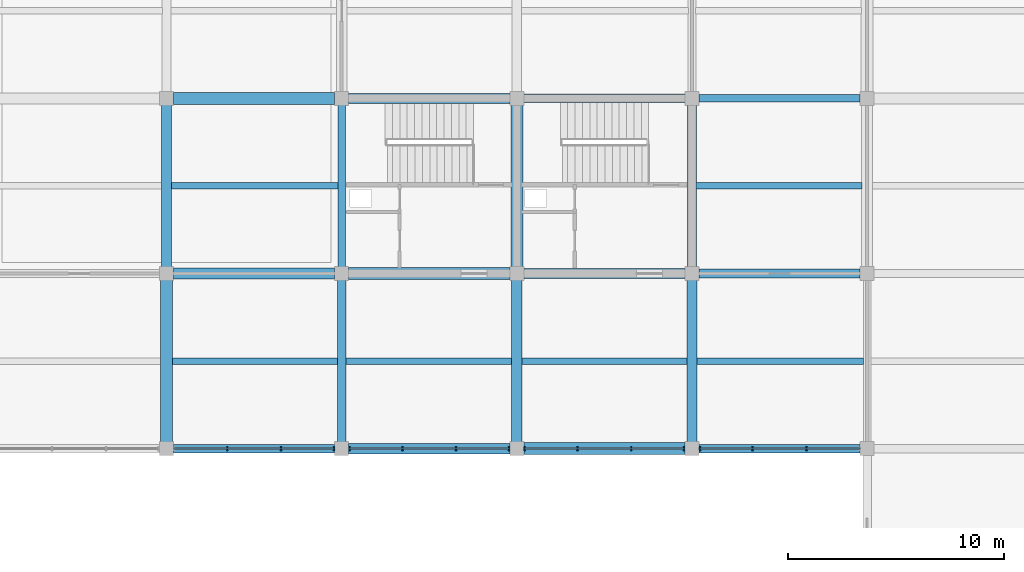
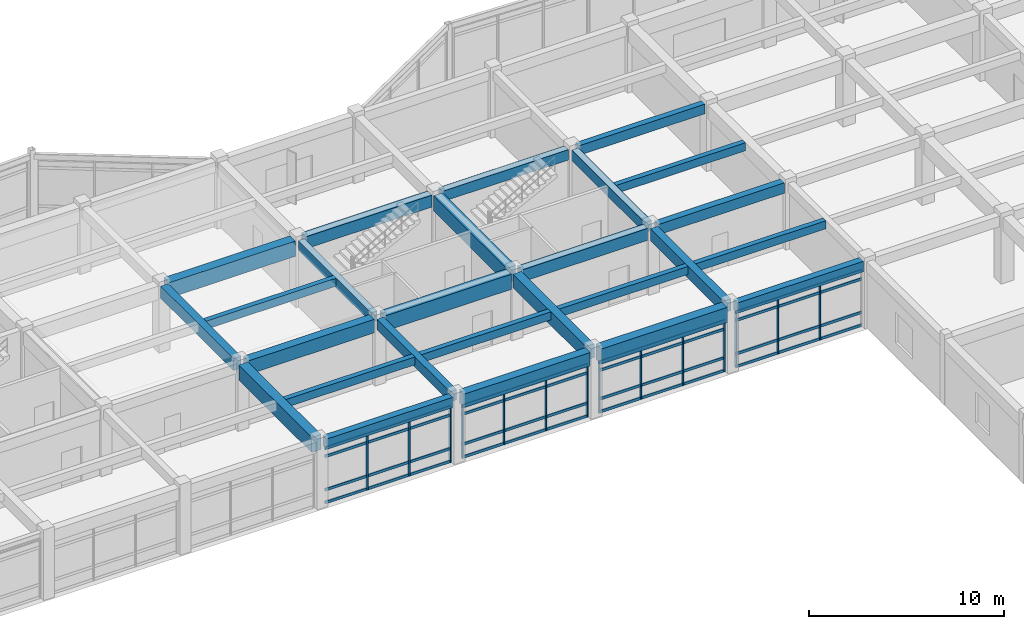
# One storey, part 35 of 89: 30 members, 26 beams, 4 elements without a shape of their own.
"""IFC4 building model written with IfcOpenShell, lengths in metres."""

from ifc_helpers import new_model, si_unit, direction, frame, origin, origin_2d, place, context, subcontext, project, spatial, rectangle, extrude, material, layer, layer_set, material_profile, profile_set, type_object, element, aggregate, save


model = new_model("IFC4")

# Units and contexts
model_context = context("Model", 3, precision=1e-05, world=origin(), true_north=direction((0.0, 1.0)))
body_context = subcontext(model_context, "Body", "Model", "MODEL_VIEW")
ifc_project = project(units=[si_unit("LENGTHUNIT", "METRE"), si_unit("AREAUNIT", "SQUARE_METRE"), si_unit("VOLUMEUNIT", "CUBIC_METRE"), si_unit("PLANEANGLEUNIT", "RADIAN"), si_unit("MASSUNIT", "GRAM", prefix="KILO")], contexts=[model_context])

# Site, building, storey
site_placement = place(None, origin())
site = spatial("IfcSite", under=ifc_project, at=site_placement, CompositionType="ELEMENT")
building_placement = place(site_placement, origin())
building = spatial("IfcBuilding", under=site, at=building_placement, Name="Vaudrelin Polytechnic", CompositionType="ELEMENT")
storey_placement = place(building_placement, frame((0.0, 0.0, 9.68994140625)))
storey = spatial("IfcBuildingStorey", under=building, at=storey_placement, Name="L02", CompositionType="ELEMENT", Elevation=9.68994140625)

# Beams
ifc_material_1 = material(Name="Concrete 40 MPa", Category="concrete")
ifc_material_profile_1 = material_profile(ifc_material_1, rectangle(XDim=0.35009765625, YDim=0.60009765625, at=origin_2d()), Name="RC350x600")
ifc_profile_set_1 = profile_set([ifc_material_profile_1], Name="Concrete 40 MPa")
beam_type_1 = type_object("IfcBeamType", Name="BM-BM-RC3560", PredefinedType="BEAM", material=ifc_profile_set_1)
beam_1_placement = place(storey_placement, frame((105.300048828125, 105.610107421875, 3.840087890625), z_axis=(0.0, 1.0, 0.0), x_axis=(-1.0, 0.0, 0.0)))
element("IfcBeam", 1, at=beam_1_placement, inside=storey, type_object=beam_type_1, Name="L02 Y-beam 14-14", PredefinedType="BEAM", context=body_context, shape_type="SweptSolid", body=[
    extrude(rectangle(XDim=0.35009765625, YDim=0.60009765625, at=origin_2d()), origin(), (0.0, 0.0, 1.0), 7.47998046875),
])
beam_2_placement = place(storey_placement, frame((121.821044921875, 113.39990234375, 3.840087890625), z_axis=(1.0, 0.0, 0.0), x_axis=(0.0, 1.0, 0.0)))
element("IfcBeam", 2, at=beam_2_placement, inside=storey, type_object=beam_type_1, Name="L02 X-beam 16-15", PredefinedType="BEAM", context=body_context, shape_type="SweptSolid", body=[
    extrude(rectangle(XDim=0.35009765625, YDim=0.60009765625, at=origin_2d()), origin(), (0.0, 0.0, 1.0), 7.4580078125),
])
ifc_material_profile_2 = material_profile(ifc_material_1, rectangle(XDim=0.39990234375, YDim=0.64990234375, at=origin_2d()), Name="RC400x650")
ifc_profile_set_2 = profile_set([ifc_material_profile_2], Name="Concrete 40 MPa")
beam_type_2 = type_object("IfcBeamType", Name="BM-BM-RC4065", PredefinedType="BEAM", material=ifc_profile_set_2)
for number, where, z_axis, x_axis, name in (
    (3, (105.300048828125, 97.510009765625, 3.81494140625), (0.0, 1.0, 0.0), (-1.0, 0.0, 0.0), "L02 Y-beam 14-13"),
    (4, (121.5, 105.610107421875, 3.81494140625), (0.0, 1.0, 0.0), (-1.0, 0.0, 0.0), "L02 Y-beam 16-14"),
):
    element("IfcBeam", number, at=place(storey_placement, frame(where, z_axis=z_axis, x_axis=x_axis)), inside=storey, type_object=beam_type_2, Name=name, PredefinedType="BEAM", context=body_context, shape_type="SweptSolid", body=[
        extrude(rectangle(XDim=0.39990234375, YDim=0.64990234375, at=origin_2d()), origin(), (0.0, 0.0, 1.0), 7.47998046875),
    ])
for number, where, z_axis, x_axis, name in (
    (5, (113.720947265625, 113.39990234375, 3.81494140625), (1.0, 0.0, 0.0), (0.0, 1.0, 0.0), "L02 X-beam 15-15"),
    (6, (121.821044921875, 105.300048828125, 3.81494140625), (1.0, 0.0, 0.0), (0.0, 1.0, 0.0), "L02 X-beam 16-14"),
):
    element("IfcBeam", number, at=place(storey_placement, frame(where, z_axis=z_axis, x_axis=x_axis)), inside=storey, type_object=beam_type_2, Name=name, PredefinedType="BEAM", context=body_context, shape_type="SweptSolid", body=[
        extrude(rectangle(XDim=0.39990234375, YDim=0.64990234375, at=origin_2d()), origin(), (0.0, 0.0, 1.0), 7.4580078125),
    ])
ifc_material_profile_3 = material_profile(ifc_material_1, rectangle(XDim=0.449951171875, YDim=0.75, at=origin_2d()), Name="RC450x750")
ifc_profile_set_3 = profile_set([ifc_material_profile_3], Name="Concrete 40 MPa")
beam_type_3 = type_object("IfcBeamType", Name="BM-BM-RC4575", PredefinedType="BEAM", material=ifc_profile_set_3)
for number, where, z_axis, x_axis, name in (
    (7, (97.199951171875, 105.610107421875, 3.76513671875), (0.0, 1.0, 0.0), (-1.0, 0.0, 0.0), "L02 Y-beam 13-14"),
    (8, (121.5, 97.510009765625, 3.76513671875), (0.0, 1.0, 0.0), (-1.0, 0.0, 0.0), "L02 Y-beam 16-13"),
):
    element("IfcBeam", number, at=place(storey_placement, frame(where, z_axis=z_axis, x_axis=x_axis)), inside=storey, type_object=beam_type_3, Name=name, PredefinedType="BEAM", context=body_context, shape_type="SweptSolid", body=[
        extrude(rectangle(XDim=0.449951171875, YDim=0.75, at=origin_2d()), origin(), (0.0, 0.0, 1.0), 7.47998046875),
    ])
for number, where, z_axis, x_axis, name in (
    (9, (105.62109375, 113.39990234375, 3.76513671875), (1.0, 0.0, 0.0), (0.0, 1.0, 0.0), "L02 X-beam 14-15"),
    (10, (113.720947265625, 105.300048828125, 3.76513671875), (1.0, 0.0, 0.0), (0.0, 1.0, 0.0), "L02 X-beam 15-14"),
):
    element("IfcBeam", number, at=place(storey_placement, frame(where, z_axis=z_axis, x_axis=x_axis)), inside=storey, type_object=beam_type_3, Name=name, PredefinedType="BEAM", context=body_context, shape_type="SweptSolid", body=[
        extrude(rectangle(XDim=0.449951171875, YDim=0.75, at=origin_2d()), origin(), (0.0, 0.0, 1.0), 7.4580078125),
    ])
ifc_material_profile_4 = material_profile(ifc_material_1, rectangle(XDim=0.5, YDim=0.85009765625, at=origin_2d()), Name="RC500x850")
ifc_profile_set_4 = profile_set([ifc_material_profile_4], Name="Concrete 40 MPa")
beam_type_4 = type_object("IfcBeamType", Name="BM-BM-RC5085", PredefinedType="BEAM", material=ifc_profile_set_4)
beam_3_placement = place(storey_placement, frame((113.39990234375, 97.510009765625, 3.715087890625), z_axis=(0.0, 1.0, 0.0), x_axis=(-1.0, 0.0, 0.0)))
element("IfcBeam", 11, at=beam_3_placement, inside=storey, type_object=beam_type_4, Name="L02 Y-beam 15-13", PredefinedType="BEAM", context=body_context, shape_type="SweptSolid", body=[
    extrude(rectangle(XDim=0.5, YDim=0.85009765625, at=origin_2d()), origin(), (0.0, 0.0, 1.0), 7.47998046875),
])
for number, where, z_axis, x_axis, name in (
    (12, (97.52099609375, 105.300048828125, 3.715087890625), (1.0, 0.0, 0.0), (0.0, 1.0, 0.0), "L02 X-beam 13-14"),
    (13, (105.62109375, 97.199951171875, 3.715087890625), (1.0, 0.0, 0.0), (0.0, 1.0, 0.0), "L02 X-beam 14-13"),
):
    element("IfcBeam", number, at=place(storey_placement, frame(where, z_axis=z_axis, x_axis=x_axis)), inside=storey, type_object=beam_type_4, Name=name, PredefinedType="BEAM", context=body_context, shape_type="SweptSolid", body=[
        extrude(rectangle(XDim=0.5, YDim=0.85009765625, at=origin_2d()), origin(), (0.0, 0.0, 1.0), 7.4580078125),
    ])
ifc_material_2 = material(Name="Concrete 50 MPa", Category="concrete")
ifc_material_profile_5 = material_profile(ifc_material_2, rectangle(XDim=0.550048828125, YDim=0.949951171875, at=origin_2d()), Name="RC550x950")
ifc_profile_set_5 = profile_set([ifc_material_profile_5], Name="Concrete 50 MPa")
beam_type_5 = type_object("IfcBeamType", Name="BM-BM-RC5595", PredefinedType="BEAM", material=ifc_profile_set_5)
for number, where, z_axis, x_axis, name in (
    (14, (97.199951171875, 97.510009765625, 3.6650390625), (0.0, 1.0, 0.0), (-1.0, 0.0, 0.0), "L02 Y-beam 13-13"),
    (15, (113.39990234375, 105.610107421875, 3.6650390625), (0.0, 1.0, 0.0), (-1.0, 0.0, 0.0), "L02 Y-beam 15-14"),
):
    element("IfcBeam", number, at=place(storey_placement, frame(where, z_axis=z_axis, x_axis=x_axis)), inside=storey, type_object=beam_type_5, Name=name, PredefinedType="BEAM", context=body_context, shape_type="SweptSolid", body=[
        extrude(rectangle(XDim=0.550048828125, YDim=0.949951171875, at=origin_2d()), origin(), (0.0, 0.0, 1.0), 7.47998046875),
    ])
for number, where, z_axis, x_axis, name in (
    (16, (97.52099609375, 113.39990234375, 3.6650390625), (1.0, 0.0, 0.0), (0.0, 1.0, 0.0), "L02 X-beam 13-15"),
    (17, (105.62109375, 105.300048828125, 3.6650390625), (1.0, 0.0, 0.0), (0.0, 1.0, 0.0), "L02 X-beam 14-14"),
    (18, (113.720947265625, 97.199951171875, 3.6650390625), (1.0, 0.0, 0.0), (0.0, 1.0, 0.0), "L02 X-beam 15-13"),
):
    element("IfcBeam", number, at=place(storey_placement, frame(where, z_axis=z_axis, x_axis=x_axis)), inside=storey, type_object=beam_type_5, Name=name, PredefinedType="BEAM", context=body_context, shape_type="SweptSolid", body=[
        extrude(rectangle(XDim=0.550048828125, YDim=0.949951171875, at=origin_2d()), origin(), (0.0, 0.0, 1.0), 7.4580078125),
    ])
ifc_material_profile_6 = material_profile(ifc_material_1, rectangle(XDim=0.300048828125, YDim=0.5, at=origin_2d()), Name="RC300x500")
ifc_profile_set_6 = profile_set([ifc_material_profile_6], Name="Concrete 40 MPa")
beam_type_6 = type_object("IfcBeamType", Name="BM-JS-RC3050", PredefinedType="JOIST", material=ifc_profile_set_6)
beam_4_placement = place(storey_placement, frame((97.470947265625, 101.25, 3.89013671875), z_axis=(1.0, 0.0, 0.0), x_axis=(0.0, 1.0, 0.0)))
element("IfcBeam", 19, at=beam_4_placement, inside=storey, type_object=beam_type_6, Name="L02 floor joist 13-13", PredefinedType="JOIST", context=body_context, shape_type="SweptSolid", body=[
    extrude(rectangle(XDim=0.300048828125, YDim=0.5, at=origin_2d()), origin(), (0.0, 0.0, 1.0), 7.633056640625),
])
beam_5_placement = place(storey_placement, frame((97.4208984375, 109.35009765625, 3.89013671875), z_axis=(1.0, 0.0, 0.0), x_axis=(0.0, 1.0, 0.0)))
element("IfcBeam", 20, at=beam_5_placement, inside=storey, type_object=beam_type_6, Name="L02 floor joist 13-14", PredefinedType="JOIST", context=body_context, shape_type="SweptSolid", body=[
    extrude(rectangle(XDim=0.300048828125, YDim=0.5, at=origin_2d()), origin(), (0.0, 0.0, 1.0), 7.7080078125),
])
beam_6_placement = place(storey_placement, frame((105.49609375, 101.25, 3.89013671875), z_axis=(1.0, 0.0, 0.0), x_axis=(0.0, 1.0, 0.0)))
element("IfcBeam", 21, at=beam_6_placement, inside=storey, type_object=beam_type_6, Name="L02 floor joist 14-13", PredefinedType="JOIST", context=body_context, shape_type="SweptSolid", body=[
    extrude(rectangle(XDim=0.300048828125, YDim=0.5, at=origin_2d()), origin(), (0.0, 0.0, 1.0), 7.657958984375),
])
beam_7_placement = place(storey_placement, frame((113.64599609375, 101.25, 3.89013671875), z_axis=(1.0, 0.0, 0.0), x_axis=(0.0, 1.0, 0.0)))
element("IfcBeam", 22, at=beam_7_placement, inside=storey, type_object=beam_type_6, Name="L02 floor joist 15-13", PredefinedType="JOIST", context=body_context, shape_type="SweptSolid", body=[
    extrude(rectangle(XDim=0.300048828125, YDim=0.5, at=origin_2d()), origin(), (0.0, 0.0, 1.0), 7.633056640625),
])
beam_8_placement = place(storey_placement, frame((121.720947265625, 101.25, 3.89013671875), z_axis=(1.0, 0.0, 0.0), x_axis=(0.0, 1.0, 0.0)))
element("IfcBeam", 23, at=beam_8_placement, inside=storey, type_object=beam_type_6, Name="L02 floor joist 16-13", PredefinedType="JOIST", context=body_context, shape_type="SweptSolid", body=[
    extrude(rectangle(XDim=0.300048828125, YDim=0.5, at=origin_2d()), origin(), (0.0, 0.0, 1.0), 7.7080078125),
])
beam_9_placement = place(storey_placement, frame((121.696044921875, 109.35009765625, 3.89013671875), z_axis=(1.0, 0.0, 0.0), x_axis=(0.0, 1.0, 0.0)))
element("IfcBeam", 24, at=beam_9_placement, inside=storey, type_object=beam_type_6, Name="L02 floor joist 16-14", PredefinedType="JOIST", context=body_context, shape_type="SweptSolid", body=[
    extrude(rectangle(XDim=0.300048828125, YDim=0.5, at=origin_2d()), origin(), (0.0, 0.0, 1.0), 7.657958984375),
])
ifc_material_profile_7 = material_profile(ifc_material_1, rectangle(XDim=0.39990234375, YDim=0.64990234375, at=origin_2d()), Name="RC400x650")
ifc_profile_set_7 = profile_set([ifc_material_profile_7], Name="Concrete 40 MPa")
beam_type_7 = type_object("IfcBeamType", Name="BM-SP-RC4065", PredefinedType="SPANDREL", material=ifc_profile_set_7)
for number, where, z_axis, x_axis, name in (
    (25, (97.52099609375, 97.199951171875, 3.81494140625), (1.0, 0.0, 0.0), (0.0, 1.0, 0.0), "L02 X-beam 13-13"),
    (26, (121.821044921875, 97.199951171875, 3.81494140625), (1.0, 0.0, 0.0), (0.0, 1.0, 0.0), "L02 X-beam 16-13"),
):
    element("IfcBeam", number, at=place(storey_placement, frame(where, z_axis=z_axis, x_axis=x_axis)), inside=storey, type_object=beam_type_7, Name=name, PredefinedType="SPANDREL", context=body_context, shape_type="SweptSolid", body=[
        extrude(rectangle(XDim=0.39990234375, YDim=0.64990234375, at=origin_2d()), origin(), (0.0, 0.0, 1.0), 7.4580078125),
    ])

# Curtain wall, members
ifc_material_3 = material(Name="Thermally broken anodised aluminium AA 6063-T6 and low-e triple glazing", Category="aluminium")
ifc_layer = layer(ifc_material_3, 0.199951171875)
ifc_layer_set = layer_set([ifc_layer], Name="Thermally broken anodised aluminium AA 6063-T6 and low-e triple glazing")
curtain_wall_type = type_object("IfcCurtainWallType", Name="CW-CW-LIB", PredefinedType="USERDEFINED", material=ifc_layer_set)
curtain_wall_1_placement = place(storey_placement, origin())
curtain_wall_1 = element("IfcCurtainWall", 27, at=curtain_wall_1_placement, inside=storey, type_object=curtain_wall_type, Name="Curtain wall L02 CT_N_08", ObjectType="CURTAIN WALL", PredefinedType="USERDEFINED")
ifc_material_4 = material(Name="Anodised aluminium AA 6063-T6", Category="aluminium")
ifc_material_profile_8 = material_profile(ifc_material_4, rectangle(XDim=0.06494140625, YDim=0.179931640625, at=origin_2d()), Name="CWM-65x180")
ifc_profile_set_8 = profile_set([ifc_material_profile_8], Name="Anodised aluminium AA 6063-T6")
member_type_1 = type_object("IfcMemberType", Name="MEM-CWM-180", PredefinedType="MULLION", material=ifc_profile_set_8)
member_1_placement = place(storey_placement, frame((100.0078125, 97.199951171875, 0.0), z_axis=(0.0, 0.0, 1.0), x_axis=(1.0, 0.0, 0.0)))
member_1 = element("IfcMember", 28, at=member_1_placement, type_object=member_type_1, Name="CT_N_08 mullion 2", PredefinedType="MULLION", context=body_context, shape_type="SweptSolid", body=[
    extrude(rectangle(XDim=0.06494140625, YDim=0.179931640625, at=origin_2d()), origin(), (0.0, 0.0, 1.0), 3.491943359375),
])
member_2_placement = place(storey_placement, frame((102.4921875, 97.199951171875, 0.0), z_axis=(0.0, 0.0, 1.0), x_axis=(1.0, 0.0, 0.0)))
member_2 = element("IfcMember", 29, at=member_2_placement, type_object=member_type_1, Name="CT_N_08 mullion 3", PredefinedType="MULLION", context=body_context, shape_type="SweptSolid", body=[
    extrude(rectangle(XDim=0.06494140625, YDim=0.179931640625, at=origin_2d()), origin(), (0.0, 0.0, 1.0), 3.491943359375),
])
member_3_placement = place(storey_placement, frame((104.93701171875, 97.199951171875, 0.0), z_axis=(0.0, 0.0, 1.0), x_axis=(1.0, 0.0, 0.0)))
member_3 = element("IfcMember", 30, at=member_3_placement, type_object=member_type_1, Name="CT_N_08 mullion 4", PredefinedType="MULLION", context=body_context, shape_type="SweptSolid", body=[
    extrude(rectangle(XDim=0.06494140625, YDim=0.179931640625, at=origin_2d()), origin(), (0.0, 0.0, 1.0), 3.491943359375),
])

curtain_wall_2_placement = place(storey_placement, origin())
curtain_wall_2 = element("IfcCurtainWall", 31, at=curtain_wall_2_placement, inside=storey, type_object=curtain_wall_type, Name="Curtain wall L02 CT_N_09", ObjectType="CURTAIN WALL", PredefinedType="USERDEFINED")
member_4_placement = place(storey_placement, frame((105.6630859375, 97.199951171875, 0.0), z_axis=(0.0, 0.0, 1.0), x_axis=(1.0, 0.0, 0.0)))
member_4 = element("IfcMember", 32, at=member_4_placement, type_object=member_type_1, Name="CT_N_09 mullion 1", PredefinedType="MULLION", context=body_context, shape_type="SweptSolid", body=[
    extrude(rectangle(XDim=0.06494140625, YDim=0.179931640625, at=origin_2d()), origin(), (0.0, 0.0, 1.0), 3.2919921875),
])
member_5_placement = place(storey_placement, frame((108.107666015625, 97.199951171875, 0.0), z_axis=(0.0, 0.0, 1.0), x_axis=(1.0, 0.0, 0.0)))
member_5 = element("IfcMember", 33, at=member_5_placement, type_object=member_type_1, Name="CT_N_09 mullion 2", PredefinedType="MULLION", context=body_context, shape_type="SweptSolid", body=[
    extrude(rectangle(XDim=0.06494140625, YDim=0.179931640625, at=origin_2d()), origin(), (0.0, 0.0, 1.0), 3.2919921875),
])
member_6_placement = place(storey_placement, frame((110.59228515625, 97.199951171875, 0.0), z_axis=(0.0, 0.0, 1.0), x_axis=(1.0, 0.0, 0.0)))
member_6 = element("IfcMember", 34, at=member_6_placement, type_object=member_type_1, Name="CT_N_09 mullion 3", PredefinedType="MULLION", context=body_context, shape_type="SweptSolid", body=[
    extrude(rectangle(XDim=0.06494140625, YDim=0.179931640625, at=origin_2d()), origin(), (0.0, 0.0, 1.0), 3.2919921875),
])
member_7_placement = place(storey_placement, frame((113.037109375, 97.199951171875, 0.0), z_axis=(0.0, 0.0, 1.0), x_axis=(1.0, 0.0, 0.0)))
member_7 = element("IfcMember", 35, at=member_7_placement, type_object=member_type_1, Name="CT_N_09 mullion 4", PredefinedType="MULLION", context=body_context, shape_type="SweptSolid", body=[
    extrude(rectangle(XDim=0.06494140625, YDim=0.179931640625, at=origin_2d()), origin(), (0.0, 0.0, 1.0), 3.2919921875),
])

curtain_wall_3_placement = place(storey_placement, origin())
curtain_wall_3 = element("IfcCurtainWall", 36, at=curtain_wall_3_placement, inside=storey, type_object=curtain_wall_type, Name="Curtain wall L02 CT_N_10", ObjectType="CURTAIN WALL", PredefinedType="USERDEFINED")
member_8_placement = place(storey_placement, frame((113.762939453125, 97.199951171875, 0.0), z_axis=(0.0, 0.0, 1.0), x_axis=(1.0, 0.0, 0.0)))
member_8 = element("IfcMember", 37, at=member_8_placement, type_object=member_type_1, Name="CT_N_10 mullion 1", PredefinedType="MULLION", context=body_context, shape_type="SweptSolid", body=[
    extrude(rectangle(XDim=0.06494140625, YDim=0.179931640625, at=origin_2d()), origin(), (0.0, 0.0, 1.0), 3.192138671875),
])
member_9_placement = place(storey_placement, frame((116.207763671875, 97.199951171875, 0.0), z_axis=(0.0, 0.0, 1.0), x_axis=(1.0, 0.0, 0.0)))
member_9 = element("IfcMember", 38, at=member_9_placement, type_object=member_type_1, Name="CT_N_10 mullion 2", PredefinedType="MULLION", context=body_context, shape_type="SweptSolid", body=[
    extrude(rectangle(XDim=0.06494140625, YDim=0.179931640625, at=origin_2d()), origin(), (0.0, 0.0, 1.0), 3.192138671875),
])
member_10_placement = place(storey_placement, frame((118.6923828125, 97.199951171875, 0.0), z_axis=(0.0, 0.0, 1.0), x_axis=(1.0, 0.0, 0.0)))
member_10 = element("IfcMember", 39, at=member_10_placement, type_object=member_type_1, Name="CT_N_10 mullion 3", PredefinedType="MULLION", context=body_context, shape_type="SweptSolid", body=[
    extrude(rectangle(XDim=0.06494140625, YDim=0.179931640625, at=origin_2d()), origin(), (0.0, 0.0, 1.0), 3.192138671875),
])
member_11_placement = place(storey_placement, frame((121.136962890625, 97.199951171875, 0.0), z_axis=(0.0, 0.0, 1.0), x_axis=(1.0, 0.0, 0.0)))
member_11 = element("IfcMember", 40, at=member_11_placement, type_object=member_type_1, Name="CT_N_10 mullion 4", PredefinedType="MULLION", context=body_context, shape_type="SweptSolid", body=[
    extrude(rectangle(XDim=0.06494140625, YDim=0.179931640625, at=origin_2d()), origin(), (0.0, 0.0, 1.0), 3.192138671875),
])

curtain_wall_4_placement = place(storey_placement, origin())
curtain_wall_4 = element("IfcCurtainWall", 41, at=curtain_wall_4_placement, inside=storey, type_object=curtain_wall_type, Name="Curtain wall L02 CT_N_11", ObjectType="CURTAIN WALL", PredefinedType="USERDEFINED")
member_12_placement = place(storey_placement, frame((121.863037109375, 97.199951171875, 0.0), z_axis=(0.0, 0.0, 1.0), x_axis=(1.0, 0.0, 0.0)))
member_12 = element("IfcMember", 42, at=member_12_placement, type_object=member_type_1, Name="CT_N_11 mullion 1", PredefinedType="MULLION", context=body_context, shape_type="SweptSolid", body=[
    extrude(rectangle(XDim=0.06494140625, YDim=0.179931640625, at=origin_2d()), origin(), (0.0, 0.0, 1.0), 3.491943359375),
])
member_13_placement = place(storey_placement, frame((124.3076171875, 97.199951171875, 0.0), z_axis=(0.0, 0.0, 1.0), x_axis=(1.0, 0.0, 0.0)))
member_13 = element("IfcMember", 43, at=member_13_placement, type_object=member_type_1, Name="CT_N_11 mullion 2", PredefinedType="MULLION", context=body_context, shape_type="SweptSolid", body=[
    extrude(rectangle(XDim=0.06494140625, YDim=0.179931640625, at=origin_2d()), origin(), (0.0, 0.0, 1.0), 3.491943359375),
])
member_14_placement = place(storey_placement, frame((126.792236328125, 97.199951171875, 0.0), z_axis=(0.0, 0.0, 1.0), x_axis=(1.0, 0.0, 0.0)))
member_14 = element("IfcMember", 44, at=member_14_placement, type_object=member_type_1, Name="CT_N_11 mullion 3", PredefinedType="MULLION", context=body_context, shape_type="SweptSolid", body=[
    extrude(rectangle(XDim=0.06494140625, YDim=0.179931640625, at=origin_2d()), origin(), (0.0, 0.0, 1.0), 3.491943359375),
])

# Member
ifc_material_profile_9 = material_profile(ifc_material_4, rectangle(XDim=0.074951171875, YDim=0.1650390625, at=origin_2d()), Name="CWT-75x165")
ifc_profile_set_9 = profile_set([ifc_material_profile_9], Name="Anodised aluminium AA 6063-T6")
member_type_2 = type_object("IfcMemberType", Name="MEM-CWT-165", PredefinedType="USERDEFINED", material=ifc_profile_set_9)
member_15_placement = place(storey_placement, frame((97.52294921875, 97.199951171875, 0.050048828125), z_axis=(1.0, 0.0, 0.0), x_axis=(0.0, 1.0, 0.0)))
member_15 = element("IfcMember", 45, at=member_15_placement, type_object=member_type_2, Name="CT_N_08 transom 1", ObjectType="TRANSOM", PredefinedType="USERDEFINED", context=body_context, shape_type="SweptSolid", body=[
    extrude(rectangle(XDim=0.074951171875, YDim=0.1650390625, at=origin_2d()), origin(), (0.0, 0.0, 1.0), 7.4541015625),
])

member_16_placement = place(storey_placement, frame((97.52294921875, 97.199951171875, 0.85009765625), z_axis=(1.0, 0.0, 0.0), x_axis=(0.0, 1.0, 0.0)))
member_16 = element("IfcMember", 46, at=member_16_placement, type_object=member_type_2, Name="CT_N_08 transom 2", ObjectType="TRANSOM", PredefinedType="USERDEFINED", context=body_context, shape_type="SweptSolid", body=[
    extrude(rectangle(XDim=0.074951171875, YDim=0.1650390625, at=origin_2d()), origin(), (0.0, 0.0, 1.0), 7.4541015625),
])

member_17_placement = place(storey_placement, frame((97.52294921875, 97.199951171875, 2.942138671875), z_axis=(1.0, 0.0, 0.0), x_axis=(0.0, 1.0, 0.0)))
member_17 = element("IfcMember", 47, at=member_17_placement, type_object=member_type_2, Name="CT_N_08 transom 3", ObjectType="TRANSOM", PredefinedType="USERDEFINED", context=body_context, shape_type="SweptSolid", body=[
    extrude(rectangle(XDim=0.074951171875, YDim=0.1650390625, at=origin_2d()), origin(), (0.0, 0.0, 1.0), 7.4541015625),
])

member_18_placement = place(storey_placement, frame((97.52294921875, 97.199951171875, 3.442138671875), z_axis=(1.0, 0.0, 0.0), x_axis=(0.0, 1.0, 0.0)))
member_18 = element("IfcMember", 48, at=member_18_placement, type_object=member_type_2, Name="CT_N_08 transom 4", ObjectType="TRANSOM", PredefinedType="USERDEFINED", context=body_context, shape_type="SweptSolid", body=[
    extrude(rectangle(XDim=0.074951171875, YDim=0.1650390625, at=origin_2d()), origin(), (0.0, 0.0, 1.0), 7.4541015625),
])

aggregate(curtain_wall_1, [member_1, member_2, member_3, member_15, member_16, member_17, member_18])

member_19_placement = place(storey_placement, frame((105.623046875, 97.199951171875, 0.050048828125), z_axis=(1.0, 0.0, 0.0), x_axis=(0.0, 1.0, 0.0)))
member_19 = element("IfcMember", 49, at=member_19_placement, type_object=member_type_2, Name="CT_N_09 transom 1", ObjectType="TRANSOM", PredefinedType="USERDEFINED", context=body_context, shape_type="SweptSolid", body=[
    extrude(rectangle(XDim=0.074951171875, YDim=0.1650390625, at=origin_2d()), origin(), (0.0, 0.0, 1.0), 7.453857421875),
])

member_20_placement = place(storey_placement, frame((105.623046875, 97.199951171875, 0.85009765625), z_axis=(1.0, 0.0, 0.0), x_axis=(0.0, 1.0, 0.0)))
member_20 = element("IfcMember", 50, at=member_20_placement, type_object=member_type_2, Name="CT_N_09 transom 2", ObjectType="TRANSOM", PredefinedType="USERDEFINED", context=body_context, shape_type="SweptSolid", body=[
    extrude(rectangle(XDim=0.074951171875, YDim=0.1650390625, at=origin_2d()), origin(), (0.0, 0.0, 1.0), 7.453857421875),
])

member_21_placement = place(storey_placement, frame((105.623046875, 97.199951171875, 2.741943359375), z_axis=(1.0, 0.0, 0.0), x_axis=(0.0, 1.0, 0.0)))
member_21 = element("IfcMember", 51, at=member_21_placement, type_object=member_type_2, Name="CT_N_09 transom 3", ObjectType="TRANSOM", PredefinedType="USERDEFINED", context=body_context, shape_type="SweptSolid", body=[
    extrude(rectangle(XDim=0.074951171875, YDim=0.1650390625, at=origin_2d()), origin(), (0.0, 0.0, 1.0), 7.453857421875),
])

member_22_placement = place(storey_placement, frame((105.623046875, 97.199951171875, 3.241943359375), z_axis=(1.0, 0.0, 0.0), x_axis=(0.0, 1.0, 0.0)))
member_22 = element("IfcMember", 52, at=member_22_placement, type_object=member_type_2, Name="CT_N_09 transom 4", ObjectType="TRANSOM", PredefinedType="USERDEFINED", context=body_context, shape_type="SweptSolid", body=[
    extrude(rectangle(XDim=0.074951171875, YDim=0.1650390625, at=origin_2d()), origin(), (0.0, 0.0, 1.0), 7.453857421875),
])

aggregate(curtain_wall_2, [member_4, member_5, member_6, member_7, member_19, member_20, member_21, member_22])

member_23_placement = place(storey_placement, frame((113.722900390625, 97.199951171875, 0.050048828125), z_axis=(1.0, 0.0, 0.0), x_axis=(0.0, 1.0, 0.0)))
member_23 = element("IfcMember", 53, at=member_23_placement, type_object=member_type_2, Name="CT_N_10 transom 1", ObjectType="TRANSOM", PredefinedType="USERDEFINED", context=body_context, shape_type="SweptSolid", body=[
    extrude(rectangle(XDim=0.074951171875, YDim=0.1650390625, at=origin_2d()), origin(), (0.0, 0.0, 1.0), 7.4541015625),
])

member_24_placement = place(storey_placement, frame((113.722900390625, 97.199951171875, 0.85009765625), z_axis=(1.0, 0.0, 0.0), x_axis=(0.0, 1.0, 0.0)))
member_24 = element("IfcMember", 54, at=member_24_placement, type_object=member_type_2, Name="CT_N_10 transom 2", ObjectType="TRANSOM", PredefinedType="USERDEFINED", context=body_context, shape_type="SweptSolid", body=[
    extrude(rectangle(XDim=0.074951171875, YDim=0.1650390625, at=origin_2d()), origin(), (0.0, 0.0, 1.0), 7.4541015625),
])

member_25_placement = place(storey_placement, frame((113.722900390625, 97.199951171875, 2.64208984375), z_axis=(1.0, 0.0, 0.0), x_axis=(0.0, 1.0, 0.0)))
member_25 = element("IfcMember", 55, at=member_25_placement, type_object=member_type_2, Name="CT_N_10 transom 3", ObjectType="TRANSOM", PredefinedType="USERDEFINED", context=body_context, shape_type="SweptSolid", body=[
    extrude(rectangle(XDim=0.074951171875, YDim=0.1650390625, at=origin_2d()), origin(), (0.0, 0.0, 1.0), 7.4541015625),
])

member_26_placement = place(storey_placement, frame((113.722900390625, 97.199951171875, 3.14208984375), z_axis=(1.0, 0.0, 0.0), x_axis=(0.0, 1.0, 0.0)))
member_26 = element("IfcMember", 56, at=member_26_placement, type_object=member_type_2, Name="CT_N_10 transom 4", ObjectType="TRANSOM", PredefinedType="USERDEFINED", context=body_context, shape_type="SweptSolid", body=[
    extrude(rectangle(XDim=0.074951171875, YDim=0.1650390625, at=origin_2d()), origin(), (0.0, 0.0, 1.0), 7.4541015625),
])

aggregate(curtain_wall_3, [member_8, member_9, member_10, member_11, member_23, member_24, member_25, member_26])

member_27_placement = place(storey_placement, frame((121.822998046875, 97.199951171875, 0.050048828125), z_axis=(1.0, 0.0, 0.0), x_axis=(0.0, 1.0, 0.0)))
member_27 = element("IfcMember", 57, at=member_27_placement, type_object=member_type_2, Name="CT_N_11 transom 1", ObjectType="TRANSOM", PredefinedType="USERDEFINED", context=body_context, shape_type="SweptSolid", body=[
    extrude(rectangle(XDim=0.074951171875, YDim=0.1650390625, at=origin_2d()), origin(), (0.0, 0.0, 1.0), 7.4541015625),
])

member_28_placement = place(storey_placement, frame((121.822998046875, 97.199951171875, 0.85009765625), z_axis=(1.0, 0.0, 0.0), x_axis=(0.0, 1.0, 0.0)))
member_28 = element("IfcMember", 58, at=member_28_placement, type_object=member_type_2, Name="CT_N_11 transom 2", ObjectType="TRANSOM", PredefinedType="USERDEFINED", context=body_context, shape_type="SweptSolid", body=[
    extrude(rectangle(XDim=0.074951171875, YDim=0.1650390625, at=origin_2d()), origin(), (0.0, 0.0, 1.0), 7.4541015625),
])

member_29_placement = place(storey_placement, frame((121.822998046875, 97.199951171875, 2.942138671875), z_axis=(1.0, 0.0, 0.0), x_axis=(0.0, 1.0, 0.0)))
member_29 = element("IfcMember", 59, at=member_29_placement, type_object=member_type_2, Name="CT_N_11 transom 3", ObjectType="TRANSOM", PredefinedType="USERDEFINED", context=body_context, shape_type="SweptSolid", body=[
    extrude(rectangle(XDim=0.074951171875, YDim=0.1650390625, at=origin_2d()), origin(), (0.0, 0.0, 1.0), 7.4541015625),
])

member_30_placement = place(storey_placement, frame((121.822998046875, 97.199951171875, 3.442138671875), z_axis=(1.0, 0.0, 0.0), x_axis=(0.0, 1.0, 0.0)))
member_30 = element("IfcMember", 60, at=member_30_placement, type_object=member_type_2, Name="CT_N_11 transom 4", ObjectType="TRANSOM", PredefinedType="USERDEFINED", context=body_context, shape_type="SweptSolid", body=[
    extrude(rectangle(XDim=0.074951171875, YDim=0.1650390625, at=origin_2d()), origin(), (0.0, 0.0, 1.0), 7.4541015625),
])

aggregate(curtain_wall_4, [member_12, member_13, member_14, member_27, member_28, member_29, member_30])

save(model, "model.ifc")
